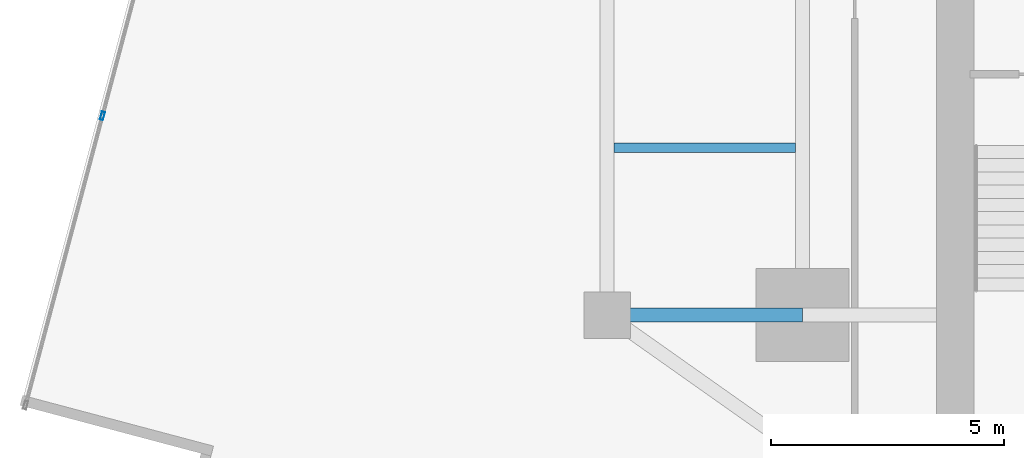
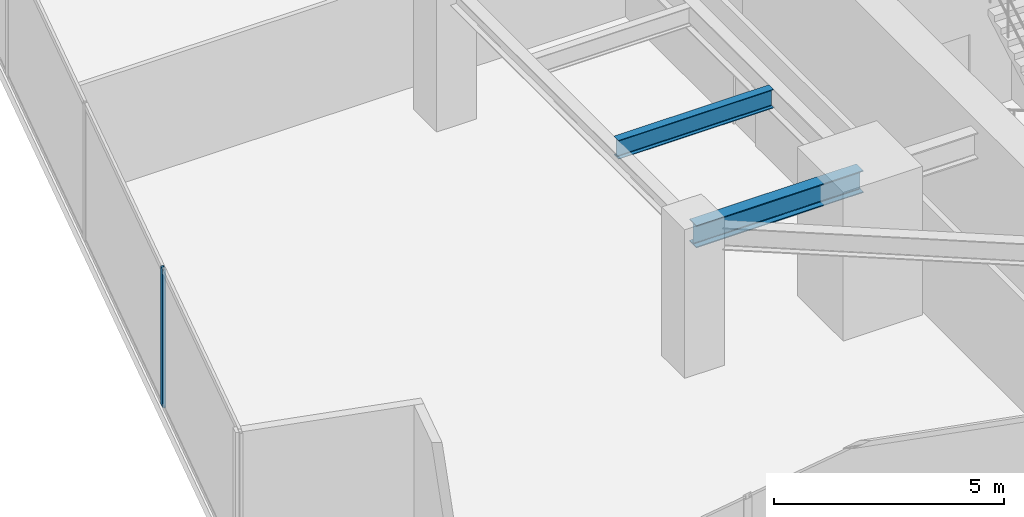
# One storey, part 6 of 27: 2 beams, 1 member, 1 element without a shape of its own.
"""IFC4 building model written with IfcOpenShell, lengths in metres."""

from ifc_helpers import new_model, si_unit, direction, frame, origin, origin_2d, place, context, subcontext, project, spatial, hollow_rectangle, i_section, extrude, source, transform, mapped, material, material_profile, profile_set, type_object, type_shapes, element, aggregate, save


model = new_model("IFC4")

# Units and contexts
model_context = context("Model", 3, precision=1e-05, world=origin(), true_north=direction((0.0, 1.0)))
body_context = subcontext(model_context, "Body", "Model", "MODEL_VIEW")
ifc_project = project(units=[si_unit("LENGTHUNIT", "METRE"), si_unit("AREAUNIT", "SQUARE_METRE"), si_unit("VOLUMEUNIT", "CUBIC_METRE"), si_unit("PLANEANGLEUNIT", "RADIAN"), si_unit("MASSUNIT", "GRAM", prefix="KILO")], contexts=[model_context])

# Site, building, storey
site_placement = place(None, origin())
site = spatial("IfcSite", under=ifc_project, at=site_placement, CompositionType="ELEMENT")
building_placement = place(site_placement, origin())
building = spatial("IfcBuilding", under=site, at=building_placement, Name="Krantzveldt Concourse Tower", CompositionType="ELEMENT")
storey_placement = place(building_placement, frame((0.0, 0.0, 105.85009765625)))
storey = spatial("IfcBuildingStorey", under=building, at=storey_placement, Name="L25", CompositionType="ELEMENT", Elevation=105.85009765625)

# Beams
ifc_material_1 = material(Name="Steel S355JR", Category="steel")
ifc_material_profile_1 = material_profile(ifc_material_1, i_section(OverallWidth=0.300048828125, OverallDepth=0.590087890625, WebThickness=0.012939453125, FlangeThickness=0.02490234375, FilletRadius=0.027099609375, at=origin_2d()), Name="Steel S355JR", Category="steel")
ifc_profile_set_1 = profile_set([ifc_material_profile_1], Name="Steel S355JR - HEA 600")
beam_type_1 = type_object("IfcBeamType", Name="BM-B-HEA600", PredefinedType="BEAM", material=ifc_profile_set_1)
shared_shape_1 = source(origin(), body_context, "Body", "SweptSolid", [
    extrude(i_section(OverallWidth=0.300048828125, OverallDepth=0.590087890625, WebThickness=0.012939453125, FlangeThickness=0.02490234375, FilletRadius=0.027099609375, at=origin_2d()), origin(), (0.0, 0.0, 1.0), 4.199951171875),
])
type_shapes(beam_type_1, [shared_shape_1])
beam_1_placement = place(storey_placement, frame((21.0, 15.89990234375, 3.375), z_axis=(1.0, 0.0, 0.0), x_axis=(0.0, 1.0, 0.0)))
element("IfcBeam", 1, at=beam_1_placement, inside=storey, type_object=beam_type_1, Name="L25 Tower Girder BR-RL1", PredefinedType="BEAM", context=body_context, shape_type="MappedRepresentation", body=[
    mapped(shared_shape_1, transform((0.0, 0.0, 0.0), x_axis=(1.0, 0.0, 0.0), y_axis=(0.0, 1.0, 0.0), z_axis=(0.0, 0.0, 1.0), scale=1.0)),
])
ifc_material_profile_2 = material_profile(ifc_material_1, i_section(OverallWidth=0.199951171875, OverallDepth=0.5, WebThickness=0.01025390625, FlangeThickness=0.01611328125, FilletRadius=0.02099609375, at=origin_2d()), Name="Steel S355JR", Category="steel")
ifc_profile_set_2 = profile_set([ifc_material_profile_2], Name="Steel S355JR - IPE 500")
beam_type_2 = type_object("IfcBeamType", Name="BM-J-IPE500", PredefinedType="JOIST", material=ifc_profile_set_2)
shared_shape_2 = source(origin(), body_context, "Body", "SweptSolid", [
    extrude(i_section(OverallWidth=0.199951171875, OverallDepth=0.5, WebThickness=0.01025390625, FlangeThickness=0.01611328125, FilletRadius=0.02099609375, at=origin_2d()), origin(), (0.0, 0.0, 1.0), 3.900146484375),
])
type_shapes(beam_type_2, [shared_shape_2])
beam_2_placement = place(storey_placement, frame((21.14990234375, 19.5, 3.419921875), z_axis=(1.0, 0.0, 0.0), x_axis=(0.0, 1.0, 0.0)))
element("IfcBeam", 2, at=beam_2_placement, inside=storey, type_object=beam_type_2, Name="L25 Secondary Floor Joist JW-1", PredefinedType="JOIST", context=body_context, shape_type="MappedRepresentation", body=[
    mapped(shared_shape_2, transform((0.0, 0.0, 0.0), x_axis=(1.0, 0.0, 0.0), y_axis=(0.0, 1.0, 0.0), z_axis=(0.0, 0.0, 1.0), scale=1.0)),
])

# Curtain wall, member
ifc_material_2 = material(Name="Anodised aluminium 6063-T6", Category="aluminium")
curtain_wall_type = type_object("IfcCurtainWallType", Name="CW2", PredefinedType="USERDEFINED", material=ifc_material_2)
curtain_wall_placement = place(storey_placement, origin())
curtain_wall = element("IfcCurtainWall", 3, at=curtain_wall_placement, inside=storey, type_object=curtain_wall_type, Name="CW-L25-F01", ObjectType="UNITISED CURTAIN WALL", PredefinedType="USERDEFINED")
ifc_material_profile_3 = material_profile(ifc_material_2, hollow_rectangle(XDim=0.070068359375, YDim=0.179931640625, WallThickness=0.0048828125, at=origin_2d()), Name="Anodised aluminium 6063-T6", Category="aluminium")
ifc_profile_set_3 = profile_set([ifc_material_profile_3], Name="Anodised aluminium 6063-T6 - ALU-MULL 180x70x5")
member_type = type_object("IfcMemberType", Name="CW-MUL-180", PredefinedType="MULLION", material=ifc_profile_set_3)
shared_shape_3 = source(origin(), body_context, "Body", "SweptSolid", [
    extrude(hollow_rectangle(XDim=0.070068359375, YDim=0.179931640625, WallThickness=0.0048828125, at=origin_2d()), origin(), (0.0, 0.0, 1.0), 3.669921875),
])
type_shapes(member_type, [shared_shape_3])
member_placement = place(storey_placement, frame((10.151123046875, 20.18408203125, 0.0), z_axis=(0.0, 0.0, 1.0), x_axis=(0.966488186373, -0.256711093648, 0.0)))
member = element("IfcMember", 4, at=member_placement, type_object=member_type, Name="CW-Z12 mullion 6", PredefinedType="MULLION", context=body_context, shape_type="MappedRepresentation", body=[
    mapped(shared_shape_3, transform((0.0, 0.0, 0.0), x_axis=(1.0, 0.0, 0.0), y_axis=(0.0, 1.0, 0.0), z_axis=(0.0, 0.0, 1.0), scale=1.0)),
])
aggregate(curtain_wall, [member])

save(model, "model.ifc")
